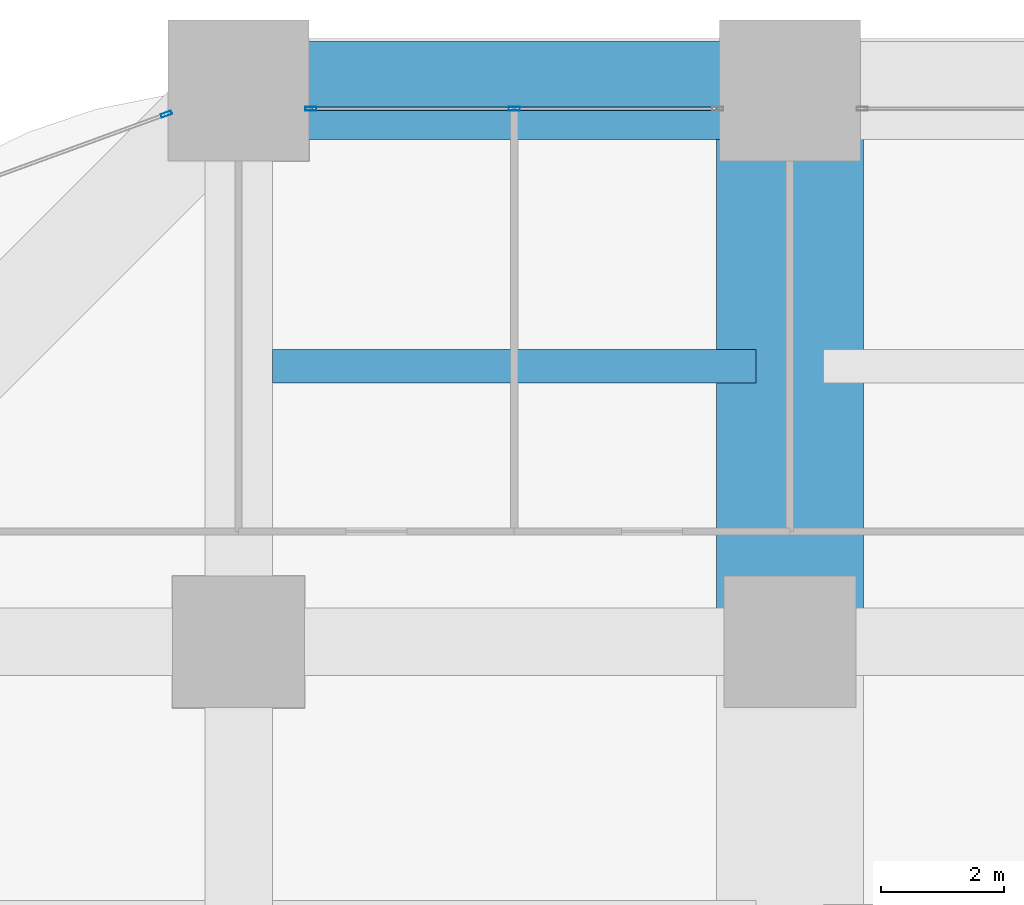
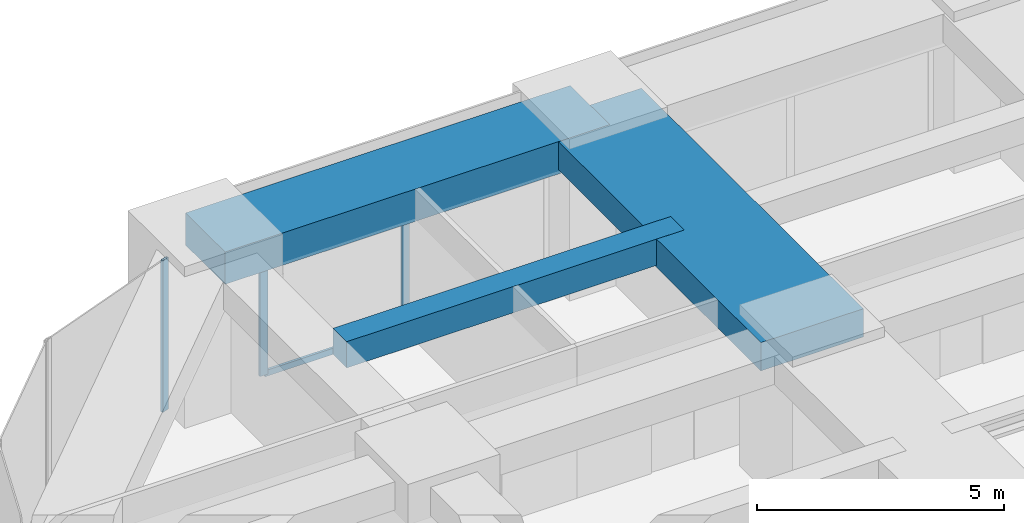
# One storey, part 28 of 44: 4 members, 3 beams, 2 elements without a shape of their own.
"""IFC4 building model written with IfcOpenShell, lengths in metres."""

from ifc_helpers import new_model, si_unit, direction, frame, origin, origin_2d, place, context, subcontext, project, spatial, rectangle, hollow_rectangle, extrude, material, material_profile, profile_set, type_object, element, aggregate, save


model = new_model("IFC4")

# Units and contexts
model_context = context("Model", 3, precision=1e-05, world=origin(), true_north=direction((0.0, 1.0)))
body_context = subcontext(model_context, "Body", "Model", "MODEL_VIEW")
ifc_project = project(units=[si_unit("LENGTHUNIT", "METRE"), si_unit("AREAUNIT", "SQUARE_METRE"), si_unit("VOLUMEUNIT", "CUBIC_METRE"), si_unit("PLANEANGLEUNIT", "RADIAN"), si_unit("MASSUNIT", "GRAM", prefix="KILO")], contexts=[model_context])

# Site, building, storey
site_placement = place(None, origin())
site = spatial("IfcSite", under=ifc_project, at=site_placement, CompositionType="ELEMENT")
building_placement = place(site_placement, origin())
building = spatial("IfcBuilding", under=site, at=building_placement, Name="Zorevar Civic Tower", CompositionType="ELEMENT")
storey_placement = place(building_placement, frame((0.0, 0.0, 63.800048828125)))
storey = spatial("IfcBuildingStorey", under=building, at=storey_placement, Name="L15", CompositionType="ELEMENT", Elevation=63.800048828125)

# Beams
ifc_material_1 = material(Name="Concrete C50/60", Category="concrete")
ifc_material_profile_1 = material_profile(ifc_material_1, rectangle(XDim=2.39990234375, YDim=0.699951171875, at=origin_2d()), Name="RC 2400x700")
ifc_profile_set_1 = profile_set([ifc_material_profile_1], Name="Concrete C50/60")
beam_type_1 = type_object("IfcBeamType", Name="Beam RC 2400x700", PredefinedType="BEAM", material=ifc_profile_set_1)
beam_1_placement = place(storey_placement, frame((18.0, 45.0, 3.39990234375), z_axis=(0.0, 1.0, 0.0), x_axis=(-1.0, 0.0, 0.0)))
element("IfcBeam", 1, at=beam_1_placement, inside=storey, type_object=beam_type_1, Name="Girder L16", PredefinedType="BEAM", context=body_context, shape_type="SweptSolid", body=[
    extrude(rectangle(XDim=2.39990234375, YDim=0.699951171875, at=origin_2d()), origin(), (0.0, 0.0, 1.0), 9.0),
])
ifc_material_2 = material(Name="Concrete C50/60", Category="concrete")
ifc_material_profile_2 = material_profile(ifc_material_2, rectangle(XDim=0.550048828125, YDim=0.64990234375, at=origin_2d()), Name="RC 550x650")
ifc_profile_set_2 = profile_set([ifc_material_profile_2], Name="Concrete C50/60")
beam_type_2 = type_object("IfcBeamType", Name="Beam RC 550x650", PredefinedType="BEAM", material=ifc_profile_set_2)
beam_2_placement = place(storey_placement, frame((9.550048828125, 49.5, 3.425048828125), z_axis=(1.0, 0.0, 0.0), x_axis=(0.0, 1.0, 0.0)))
element("IfcBeam", 2, at=beam_2_placement, inside=storey, type_object=beam_type_2, Name="Secondary beam L16", PredefinedType="BEAM", context=body_context, shape_type="SweptSolid", body=[
    extrude(rectangle(XDim=0.550048828125, YDim=0.64990234375, at=origin_2d()), origin(), (0.0, 0.0, 1.0), 7.89990234375),
])

# Curtain wall, members
ifc_material_3 = material(Name="Dark grey solar-control glass in black aluminium frame", Category="aluminium")
curtain_wall_type = type_object("IfcCurtainWallType", Name="Curtain wall CW2 low zone", PredefinedType="NOTDEFINED", material=ifc_material_3)
curtain_wall_1_placement = place(storey_placement, origin())
curtain_wall_1 = element("IfcCurtainWall", 3, at=curtain_wall_1_placement, inside=storey, type_object=curtain_wall_type, Name="CW2 L15", PredefinedType="NOTDEFINED")
ifc_material_4 = material(Name="Aluminium, black anodised", Category="aluminium")
ifc_material_profile_3 = material_profile(ifc_material_4, hollow_rectangle(XDim=0.06005859375, YDim=0.179931640625, WallThickness=0.00390625, at=origin_2d()), Name="AL 180x60x4")
ifc_profile_set_3 = profile_set([ifc_material_profile_3], Name="Aluminium, black anodised")
member_type_1 = type_object("IfcMemberType", Name="CW2 mullion AL 180x60x4", PredefinedType="MULLION", material=ifc_profile_set_3)
member_1_placement = place(storey_placement, frame((10.179931640625, 53.699951171875, 0.0), z_axis=(0.0, 0.0, 1.0), x_axis=(0.0, 1.0, 0.0)))
member_1 = element("IfcMember", 4, at=member_1_placement, type_object=member_type_1, Name="CW2 mullion 1", PredefinedType="MULLION", context=body_context, shape_type="SweptSolid", body=[
    extrude(hollow_rectangle(XDim=0.06005859375, YDim=0.179931640625, WallThickness=0.00390625, at=origin_2d()), origin(), (0.0, 0.0, 1.0), 2.949951171875),
])
member_2_placement = place(storey_placement, frame((13.5, 53.699951171875, 0.06005859375), z_axis=(0.0, 0.0, 1.0), x_axis=(0.0, 1.0, 0.0)))
member_2 = element("IfcMember", 5, at=member_2_placement, type_object=member_type_1, Name="CW2 mullion 2", PredefinedType="MULLION", context=body_context, shape_type="SweptSolid", body=[
    extrude(hollow_rectangle(XDim=0.06005859375, YDim=0.179931640625, WallThickness=0.00390625, at=origin_2d()), origin(), (0.0, 0.0, 1.0), 2.889892578125),
])

# Curtain wall, member
curtain_wall_2_placement = place(storey_placement, origin())
curtain_wall_2 = element("IfcCurtainWall", 6, at=curtain_wall_2_placement, inside=storey, type_object=curtain_wall_type, Name="CW2 L15", PredefinedType="NOTDEFINED")
member_3_placement = place(storey_placement, frame((7.82177734375, 53.61328125, 0.0), z_axis=(0.0, 0.0, 1.0), x_axis=(0.343060400701, -0.939313345732, 0.0)))
member_3 = element("IfcMember", 7, at=member_3_placement, type_object=member_type_1, Name="CW2 mullion 1", PredefinedType="MULLION", context=body_context, shape_type="SweptSolid", body=[
    extrude(hollow_rectangle(XDim=0.06005859375, YDim=0.179931640625, WallThickness=0.00390625, at=origin_2d()), origin(), (0.0, 0.0, 1.0), 3.75),
])
aggregate(curtain_wall_2, [member_3])

# Member
ifc_material_5 = material(Name="Aluminium, black anodised", Category="aluminium")
ifc_material_profile_4 = material_profile(ifc_material_5, hollow_rectangle(XDim=0.06005859375, YDim=0.14990234375, WallThickness=0.00390625, at=origin_2d()), Name="AL 150x60x4")
ifc_profile_set_4 = profile_set([ifc_material_profile_4], Name="Aluminium, black anodised")
member_type_2 = type_object("IfcMemberType", Name="CW2 transom AL 150x60x4", PredefinedType="USERDEFINED", material=ifc_profile_set_4)
member_4_placement = place(storey_placement, frame((10.2099609375, 53.699951171875, 0.030029296875), z_axis=(1.0, 0.0, 0.0), x_axis=(0.0, 1.0, 0.0)))
member_4 = element("IfcMember", 8, at=member_4_placement, type_object=member_type_2, Name="CW2 sill transom", ObjectType="TRANSOM", PredefinedType="USERDEFINED", context=body_context, shape_type="SweptSolid", body=[
    extrude(hollow_rectangle(XDim=0.06005859375, YDim=0.14990234375, WallThickness=0.00390625, at=origin_2d()), origin(), (0.0, 0.0, 1.0), 6.580078125),
])

aggregate(curtain_wall_1, [member_1, member_2, member_4])

# Beam
ifc_material_6 = material(Name="Concrete C50/60", Category="concrete")
ifc_material_profile_5 = material_profile(ifc_material_6, rectangle(XDim=1.60009765625, YDim=0.800048828125, at=origin_2d()), Name="RC 1600x800")
ifc_profile_set_5 = profile_set([ifc_material_profile_5], Name="Concrete C50/60")
beam_type_3 = type_object("IfcBeamType", Name="Edge beam RC 1600x800", PredefinedType="SPANDREL", material=ifc_profile_set_5)
beam_3_placement = place(storey_placement, frame((9.0, 54.0, 3.349853515625), z_axis=(1.0, 0.0, 0.0), x_axis=(0.0, 1.0, 0.0)))
element("IfcBeam", 9, at=beam_3_placement, inside=storey, type_object=beam_type_3, Name="Edge beam L16", PredefinedType="SPANDREL", context=body_context, shape_type="SweptSolid", body=[
    extrude(rectangle(XDim=1.60009765625, YDim=0.800048828125, at=origin_2d()), origin(), (0.0, 0.0, 1.0), 9.0),
])

save(model, "model.ifc")
